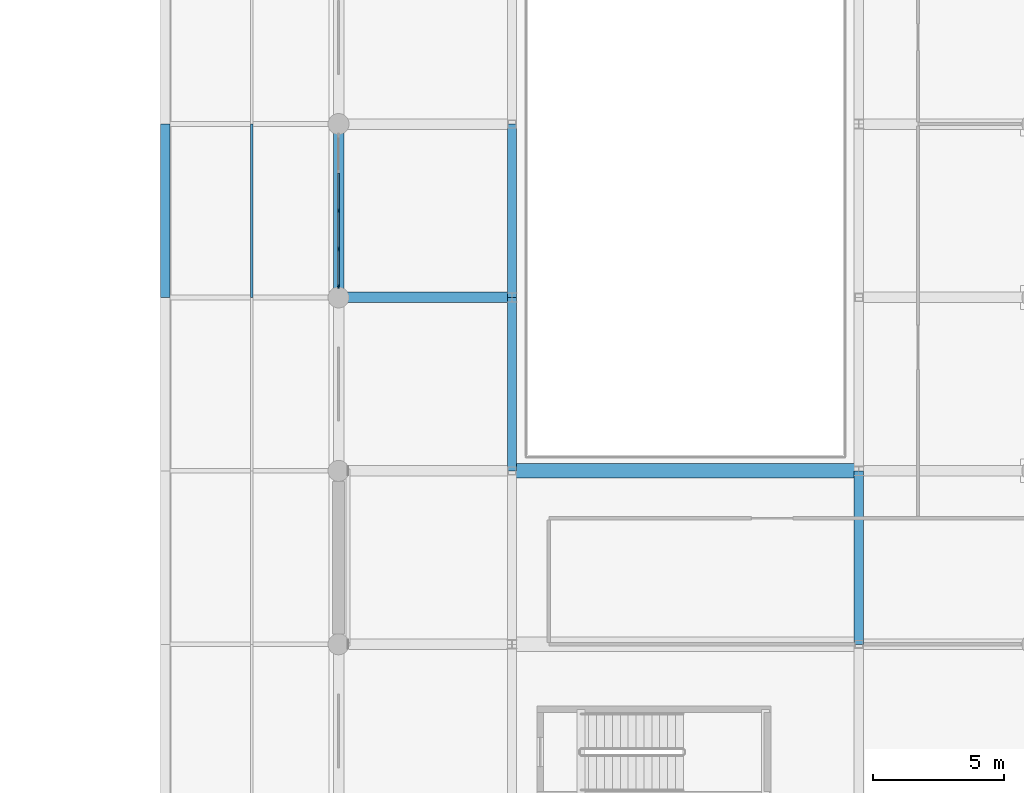
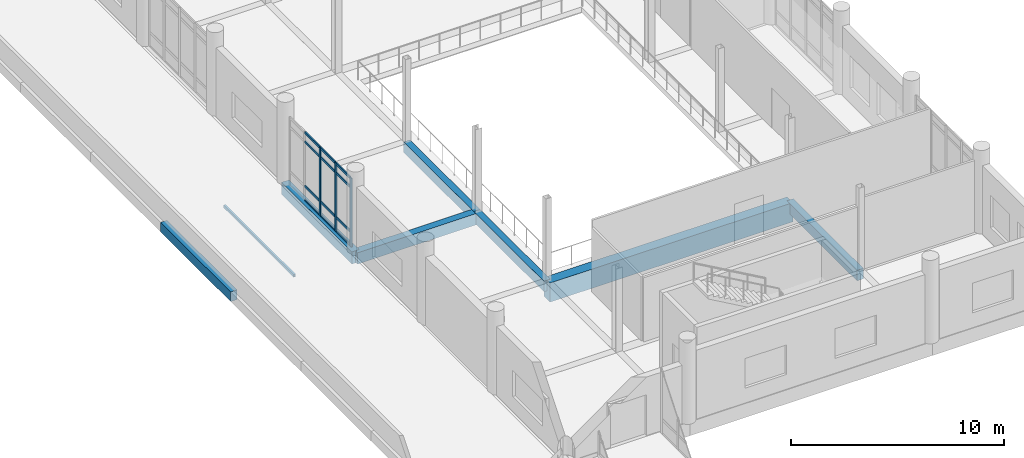
# One storey, part 20 of 125: 16 members, 7 beams, 1 element without a shape of its own.
"""IFC4 building model written with IfcOpenShell, lengths in metres."""

from ifc_helpers import new_model, si_unit, direction, frame, origin, origin_2d, place, context, subcontext, project, spatial, rectangle, hollow_rectangle, extrude, material, material_profile, profile_set, type_object, element, aggregate, save


model = new_model("IFC4")

# Units and contexts
model_context = context("Model", 3, precision=1e-05, world=origin(), true_north=direction((0.0, 1.0)))
body_context = subcontext(model_context, "Body", "Model", "MODEL_VIEW")
ifc_project = project(units=[si_unit("LENGTHUNIT", "METRE"), si_unit("AREAUNIT", "SQUARE_METRE"), si_unit("VOLUMEUNIT", "CUBIC_METRE"), si_unit("PLANEANGLEUNIT", "RADIAN"), si_unit("MASSUNIT", "GRAM", prefix="KILO")], contexts=[model_context])

# Site, building, storey
site_placement = place(None, origin())
site = spatial("IfcSite", under=ifc_project, at=site_placement, CompositionType="ELEMENT")
building_placement = place(site_placement, origin())
building = spatial("IfcBuilding", under=site, at=building_placement, Name="Dornvale Research Institute", CompositionType="ELEMENT")
storey_placement = place(building_placement, frame((0.0, 0.0, 5.39990234375)))
storey = spatial("IfcBuildingStorey", under=building, at=storey_placement, Name="L01", CompositionType="ELEMENT", Elevation=5.39990234375)

# Beams
ifc_material_1 = material(Name="Concrete f'c 45 MPa (C35/45)", Category="concrete")
ifc_material_profile_1 = material_profile(ifc_material_1, rectangle(XDim=0.35009765625, YDim=0.60009765625, at=origin_2d()), Name="RC 350x600")
ifc_profile_set_1 = profile_set([ifc_material_profile_1], Name="Concrete f'c 45 MPa (C35/45)")
beam_type_1 = type_object("IfcBeamType", Name="Beam_RC350x600_Floor", PredefinedType="BEAM", material=ifc_profile_set_1)
beam_1_placement = place(storey_placement, frame((46.199951171875, 52.800048828125, -0.2998046875), z_axis=(0.0, 1.0, 0.0), x_axis=(-1.0, 0.0, 0.0)))
element("IfcBeam", 1, at=beam_1_placement, inside=storey, type_object=beam_type_1, Name="L01 transverse girder #533", PredefinedType="BEAM", context=body_context, shape_type="SweptSolid", body=[
    extrude(rectangle(XDim=0.35009765625, YDim=0.60009765625, at=origin_2d()), origin(), (0.0, 0.0, 1.0), 6.599853515625),
])
for number, where, z_axis, x_axis, name in (
    (2, (46.199951171875, 59.39990234375, -0.2998046875), (0.0, 1.0, 0.0), (-1.0, 0.0, 0.0), "L01 transverse girder #534"),
    (3, (59.39990234375, 46.199951171875, -0.2998046875), (0.0, 1.0, 0.0), (-1.0, 0.0, 0.0), "L01 transverse girder #539"),
):
    element("IfcBeam", number, at=place(storey_placement, frame(where, z_axis=z_axis, x_axis=x_axis)), inside=storey, type_object=beam_type_1, Name=name, PredefinedType="BEAM", context=body_context, shape_type="SweptSolid", body=[
        extrude(rectangle(XDim=0.35009765625, YDim=0.60009765625, at=origin_2d()), origin(), (0.0, 0.0, 1.0), 6.60009765625),
    ])
ifc_material_2 = material(Name="Concrete f'c 45 MPa (C35/45)", Category="concrete")
ifc_material_profile_2 = material_profile(ifc_material_2, rectangle(XDim=0.39990234375, YDim=0.64990234375, at=origin_2d()), Name="RC 400x650")
ifc_profile_set_2 = profile_set([ifc_material_profile_2], Name="Concrete f'c 45 MPa (C35/45)")
beam_type_2 = type_object("IfcBeamType", Name="Beam_RC400x650_Floor", PredefinedType="BEAM", material=ifc_profile_set_2)
beam_2_placement = place(storey_placement, frame((39.60009765625, 59.39990234375, -0.324951171875), z_axis=(1.0, 0.0, 0.0), x_axis=(0.0, 1.0, 0.0)))
element("IfcBeam", 4, at=beam_2_placement, inside=storey, type_object=beam_type_2, Name="L01 primary girder #511", PredefinedType="BEAM", context=body_context, shape_type="SweptSolid", body=[
    extrude(rectangle(XDim=0.39990234375, YDim=0.64990234375, at=origin_2d()), origin(), (0.0, 0.0, 1.0), 6.599853515625),
])
ifc_material_3 = material(Name="Concrete f'c 45 MPa (C35/45)", Category="concrete")
ifc_material_profile_3 = material_profile(ifc_material_3, rectangle(XDim=0.550048828125, YDim=1.10009765625, at=origin_2d()), Name="RC 550x1100")
ifc_profile_set_3 = profile_set([ifc_material_profile_3], Name="Concrete f'c 45 MPa (C35/45)")
beam_type_3 = type_object("IfcBeamType", Name="Beam_RC550x1100_Girder", PredefinedType="BEAM", material=ifc_profile_set_3)
beam_3_placement = place(storey_placement, frame((46.199951171875, 52.800048828125, -0.5498046875), z_axis=(1.0, 0.0, 0.0), x_axis=(0.0, 1.0, 0.0)))
element("IfcBeam", 5, at=beam_3_placement, inside=storey, type_object=beam_type_3, Name="L01 primary girder #509", PredefinedType="BEAM", context=body_context, shape_type="SweptSolid", body=[
    extrude(rectangle(XDim=0.550048828125, YDim=1.10009765625, at=origin_2d()), origin(), (0.0, 0.0, 1.0), 13.199951171875),
])
ifc_material_4 = material(Name="Concrete f'c 45 MPa (C35/45)", Category="concrete")
ifc_material_profile_4 = material_profile(ifc_material_4, rectangle(XDim=0.35009765625, YDim=0.550048828125, at=origin_2d()), Name="RC 350x550")
ifc_profile_set_4 = profile_set([ifc_material_profile_4], Name="Concrete f'c 45 MPa (C35/45)")
beam_type_4 = type_object("IfcBeamType", Name="Lintel_RC350x550_Arch", PredefinedType="LINTEL", material=ifc_profile_set_4)
beam_4_placement = place(storey_placement, frame((33.0, 59.39990234375, -0.27490234375), z_axis=(0.0, 1.0, 0.0), x_axis=(-1.0, 0.0, 0.0)))
element("IfcBeam", 6, at=beam_4_placement, inside=storey, type_object=beam_type_4, Name="L01 colonnade arch lintel #1873", PredefinedType="LINTEL", context=body_context, shape_type="SweptSolid", body=[
    extrude(rectangle(XDim=0.35009765625, YDim=0.550048828125, at=origin_2d()), origin(), (0.0, 0.0, 1.0), 6.60009765625),
])

# Curtain wall, members
ifc_material_5 = material(Name="Low-E Argon Double Insulating Glazing Unit", Category="glass")
curtain_wall_type = type_object("IfcCurtainWallType", Name="UnitisedCurtainWall_V2_5810x3950", PredefinedType="USERDEFINED", material=ifc_material_5)
curtain_wall_placement = place(storey_placement, origin())
curtain_wall = element("IfcCurtainWall", 7, at=curtain_wall_placement, inside=storey, type_object=curtain_wall_type, Name="L01 V2 unitised curtain wall CW-02 #5", ObjectType="UNITISED CURTAIN WALL", PredefinedType="USERDEFINED")
ifc_material_6 = material(Name="Anodized Aluminum AA 6063-T6 Thermally Broken Frame", Category="aluminium")
ifc_material_profile_5 = material_profile(ifc_material_6, rectangle(XDim=0.06494140625, YDim=0.1650390625, at=origin_2d()), Name="ALU MULLION 65x165")
ifc_profile_set_5 = profile_set([ifc_material_profile_5], Name="Anodized Aluminum AA 6063-T6 Thermally Broken Frame")
member_type_1 = type_object("IfcMemberType", Name="Mullion_Atrium_65x165", PredefinedType="MULLION", material=ifc_profile_set_5)
member_1_placement = place(storey_placement, frame((39.60009765625, 59.827392578125, 0.0), z_axis=(0.0, 0.0, 1.0), x_axis=(-1.0, 0.0, 0.0)))
member_1 = element("IfcMember", 8, at=member_1_placement, type_object=member_type_1, Name="CW-02 mullion 1", PredefinedType="MULLION", context=body_context, shape_type="SweptSolid", body=[
    extrude(rectangle(XDim=0.06494140625, YDim=0.1650390625, at=origin_2d()), origin(), (0.0, 0.0, 1.0), 3.9501953125),
])
member_2_placement = place(storey_placement, frame((39.60009765625, 61.24755859375, 0.0), z_axis=(0.0, 0.0, 1.0), x_axis=(-1.0, 0.0, 0.0)))
member_2 = element("IfcMember", 9, at=member_2_placement, type_object=member_type_1, Name="CW-02 mullion 2", PredefinedType="MULLION", context=body_context, shape_type="SweptSolid", body=[
    extrude(rectangle(XDim=0.06494140625, YDim=0.1650390625, at=origin_2d()), origin(), (0.0, 0.0, 1.0), 3.9501953125),
])
member_3_placement = place(storey_placement, frame((39.60009765625, 62.699951171875, 0.0), z_axis=(0.0, 0.0, 1.0), x_axis=(-1.0, 0.0, 0.0)))
member_3 = element("IfcMember", 10, at=member_3_placement, type_object=member_type_1, Name="CW-02 mullion 3", PredefinedType="MULLION", context=body_context, shape_type="SweptSolid", body=[
    extrude(rectangle(XDim=0.06494140625, YDim=0.1650390625, at=origin_2d()), origin(), (0.0, 0.0, 1.0), 3.9501953125),
])

# Member
ifc_material_7 = material(Name="Steel ASTM A500 Grade C", Category="steel")
ifc_material_profile_6 = material_profile(ifc_material_7, hollow_rectangle(XDim=0.10205078125, YDim=0.152099609375, WallThickness=0.005859375, at=origin_2d()), Name="HSS152X102X6.4")
ifc_profile_set_6 = profile_set([ifc_material_profile_6], Name="Steel ASTM A500 Grade C")
member_type_2 = type_object("IfcMemberType", Name="Purlin_HSS152X102_Canopy", PredefinedType="PURLIN", material=ifc_profile_set_6)
member_4_placement = place(storey_placement, frame((36.300048828125, 59.39990234375, -0.27587890625), z_axis=(0.0, 1.0, 0.0), x_axis=(-1.0, 0.0, 0.0)))
element("IfcMember", 11, at=member_4_placement, inside=storey, type_object=member_type_2, Name="Entrance canopy purlin #16", PredefinedType="PURLIN", context=body_context, shape_type="SweptSolid", body=[
    extrude(hollow_rectangle(XDim=0.10205078125, YDim=0.152099609375, WallThickness=0.005859375, at=origin_2d()), origin(), (0.0, 0.0, 1.0), 6.60009765625),
])

# Beam
ifc_material_8 = material(Name="Concrete f'c 45 MPa (C35/45)", Category="concrete")
ifc_material_profile_7 = material_profile(ifc_material_8, rectangle(XDim=0.39990234375, YDim=0.699951171875, at=origin_2d()), Name="RC 400x700")
ifc_profile_set_7 = profile_set([ifc_material_profile_7], Name="Concrete f'c 45 MPa (C35/45)")
beam_type_5 = type_object("IfcBeamType", Name="Spandrel_RC400x700_Ext", PredefinedType="SPANDREL", material=ifc_profile_set_7)
beam_5_placement = place(storey_placement, frame((39.60009765625, 59.39990234375, -0.349853515625), z_axis=(0.0, 1.0, 0.0), x_axis=(-1.0, 0.0, 0.0)))
element("IfcBeam", 12, at=beam_5_placement, inside=storey, type_object=beam_type_5, Name="L01 perimeter spandrel #527", PredefinedType="SPANDREL", context=body_context, shape_type="SweptSolid", body=[
    extrude(rectangle(XDim=0.39990234375, YDim=0.699951171875, at=origin_2d()), origin(), (0.0, 0.0, 1.0), 6.60009765625),
])

# Member
ifc_material_9 = material(Name="Anodized Aluminum AA 6063-T6 Thermally Broken Frame", Category="aluminium")
ifc_material_profile_8 = material_profile(ifc_material_9, rectangle(XDim=0.06494140625, YDim=0.135009765625, at=origin_2d()), Name="ALU TRANSOM 65x135")
ifc_profile_set_8 = profile_set([ifc_material_profile_8], Name="Anodized Aluminum AA 6063-T6 Thermally Broken Frame")
member_type_3 = type_object("IfcMemberType", Name="Transom_CW_65x135", PredefinedType="USERDEFINED", material=ifc_profile_set_8)
member_5_placement = place(storey_placement, frame((39.60009765625, 59.860107421875, 0.03271484375), z_axis=(0.0, 1.0, 0.0), x_axis=(-1.0, 0.0, 0.0)))
member_5 = element("IfcMember", 13, at=member_5_placement, type_object=member_type_3, Name="CW-02 transom 1.1", ObjectType="TRANSOM", PredefinedType="USERDEFINED", context=body_context, shape_type="SweptSolid", body=[
    extrude(rectangle(XDim=0.06494140625, YDim=0.135009765625, at=origin_2d()), origin(), (0.0, 0.0, 1.0), 1.35498046875),
])

member_6_placement = place(storey_placement, frame((39.60009765625, 59.860107421875, 0.85009765625), z_axis=(0.0, 1.0, 0.0), x_axis=(-1.0, 0.0, 0.0)))
member_6 = element("IfcMember", 14, at=member_6_placement, type_object=member_type_3, Name="CW-02 transom 1.2", ObjectType="TRANSOM", PredefinedType="USERDEFINED", context=body_context, shape_type="SweptSolid", body=[
    extrude(rectangle(XDim=0.06494140625, YDim=0.135009765625, at=origin_2d()), origin(), (0.0, 0.0, 1.0), 1.35498046875),
])

member_7_placement = place(storey_placement, frame((39.60009765625, 59.860107421875, 3.400146484375), z_axis=(0.0, 1.0, 0.0), x_axis=(-1.0, 0.0, 0.0)))
member_7 = element("IfcMember", 15, at=member_7_placement, type_object=member_type_3, Name="CW-02 transom 1.3", ObjectType="TRANSOM", PredefinedType="USERDEFINED", context=body_context, shape_type="SweptSolid", body=[
    extrude(rectangle(XDim=0.06494140625, YDim=0.135009765625, at=origin_2d()), origin(), (0.0, 0.0, 1.0), 1.35498046875),
])

member_8_placement = place(storey_placement, frame((39.60009765625, 59.860107421875, 3.91748046875), z_axis=(0.0, 1.0, 0.0), x_axis=(-1.0, 0.0, 0.0)))
member_8 = element("IfcMember", 16, at=member_8_placement, type_object=member_type_3, Name="CW-02 transom 1.4", ObjectType="TRANSOM", PredefinedType="USERDEFINED", context=body_context, shape_type="SweptSolid", body=[
    extrude(rectangle(XDim=0.06494140625, YDim=0.135009765625, at=origin_2d()), origin(), (0.0, 0.0, 1.0), 1.35498046875),
])

member_9_placement = place(storey_placement, frame((39.60009765625, 61.280029296875, 0.03271484375), z_axis=(0.0, 1.0, 0.0), x_axis=(-1.0, 0.0, 0.0)))
member_9 = element("IfcMember", 17, at=member_9_placement, type_object=member_type_3, Name="CW-02 transom 2.1", ObjectType="TRANSOM", PredefinedType="USERDEFINED", context=body_context, shape_type="SweptSolid", body=[
    extrude(rectangle(XDim=0.06494140625, YDim=0.135009765625, at=origin_2d()), origin(), (0.0, 0.0, 1.0), 1.387451171875),
])

member_10_placement = place(storey_placement, frame((39.60009765625, 61.280029296875, 0.85009765625), z_axis=(0.0, 1.0, 0.0), x_axis=(-1.0, 0.0, 0.0)))
member_10 = element("IfcMember", 18, at=member_10_placement, type_object=member_type_3, Name="CW-02 transom 2.2", ObjectType="TRANSOM", PredefinedType="USERDEFINED", context=body_context, shape_type="SweptSolid", body=[
    extrude(rectangle(XDim=0.06494140625, YDim=0.135009765625, at=origin_2d()), origin(), (0.0, 0.0, 1.0), 1.387451171875),
])

member_11_placement = place(storey_placement, frame((39.60009765625, 61.280029296875, 3.400146484375), z_axis=(0.0, 1.0, 0.0), x_axis=(-1.0, 0.0, 0.0)))
member_11 = element("IfcMember", 19, at=member_11_placement, type_object=member_type_3, Name="CW-02 transom 2.3", ObjectType="TRANSOM", PredefinedType="USERDEFINED", context=body_context, shape_type="SweptSolid", body=[
    extrude(rectangle(XDim=0.06494140625, YDim=0.135009765625, at=origin_2d()), origin(), (0.0, 0.0, 1.0), 1.387451171875),
])

member_12_placement = place(storey_placement, frame((39.60009765625, 61.280029296875, 3.91748046875), z_axis=(0.0, 1.0, 0.0), x_axis=(-1.0, 0.0, 0.0)))
member_12 = element("IfcMember", 20, at=member_12_placement, type_object=member_type_3, Name="CW-02 transom 2.4", ObjectType="TRANSOM", PredefinedType="USERDEFINED", context=body_context, shape_type="SweptSolid", body=[
    extrude(rectangle(XDim=0.06494140625, YDim=0.135009765625, at=origin_2d()), origin(), (0.0, 0.0, 1.0), 1.387451171875),
])

member_13_placement = place(storey_placement, frame((39.60009765625, 62.732421875, 0.03271484375), z_axis=(0.0, 1.0, 0.0), x_axis=(-1.0, 0.0, 0.0)))
member_13 = element("IfcMember", 21, at=member_13_placement, type_object=member_type_3, Name="CW-02 transom 3.1", ObjectType="TRANSOM", PredefinedType="USERDEFINED", context=body_context, shape_type="SweptSolid", body=[
    extrude(rectangle(XDim=0.06494140625, YDim=0.135009765625, at=origin_2d()), origin(), (0.0, 0.0, 1.0), 1.3876953125),
])

member_14_placement = place(storey_placement, frame((39.60009765625, 62.732421875, 0.85009765625), z_axis=(0.0, 1.0, 0.0), x_axis=(-1.0, 0.0, 0.0)))
member_14 = element("IfcMember", 22, at=member_14_placement, type_object=member_type_3, Name="CW-02 transom 3.2", ObjectType="TRANSOM", PredefinedType="USERDEFINED", context=body_context, shape_type="SweptSolid", body=[
    extrude(rectangle(XDim=0.06494140625, YDim=0.135009765625, at=origin_2d()), origin(), (0.0, 0.0, 1.0), 1.3876953125),
])

member_15_placement = place(storey_placement, frame((39.60009765625, 62.732421875, 3.400146484375), z_axis=(0.0, 1.0, 0.0), x_axis=(-1.0, 0.0, 0.0)))
member_15 = element("IfcMember", 23, at=member_15_placement, type_object=member_type_3, Name="CW-02 transom 3.3", ObjectType="TRANSOM", PredefinedType="USERDEFINED", context=body_context, shape_type="SweptSolid", body=[
    extrude(rectangle(XDim=0.06494140625, YDim=0.135009765625, at=origin_2d()), origin(), (0.0, 0.0, 1.0), 1.3876953125),
])

member_16_placement = place(storey_placement, frame((39.60009765625, 62.732421875, 3.91748046875), z_axis=(0.0, 1.0, 0.0), x_axis=(-1.0, 0.0, 0.0)))
member_16 = element("IfcMember", 24, at=member_16_placement, type_object=member_type_3, Name="CW-02 transom 3.4", ObjectType="TRANSOM", PredefinedType="USERDEFINED", context=body_context, shape_type="SweptSolid", body=[
    extrude(rectangle(XDim=0.06494140625, YDim=0.135009765625, at=origin_2d()), origin(), (0.0, 0.0, 1.0), 1.3876953125),
])

aggregate(curtain_wall, [member_1, member_2, member_3, member_5, member_6, member_7, member_8, member_9, member_10, member_11, member_12, member_13, member_14, member_15, member_16])

save(model, "model.ifc")
